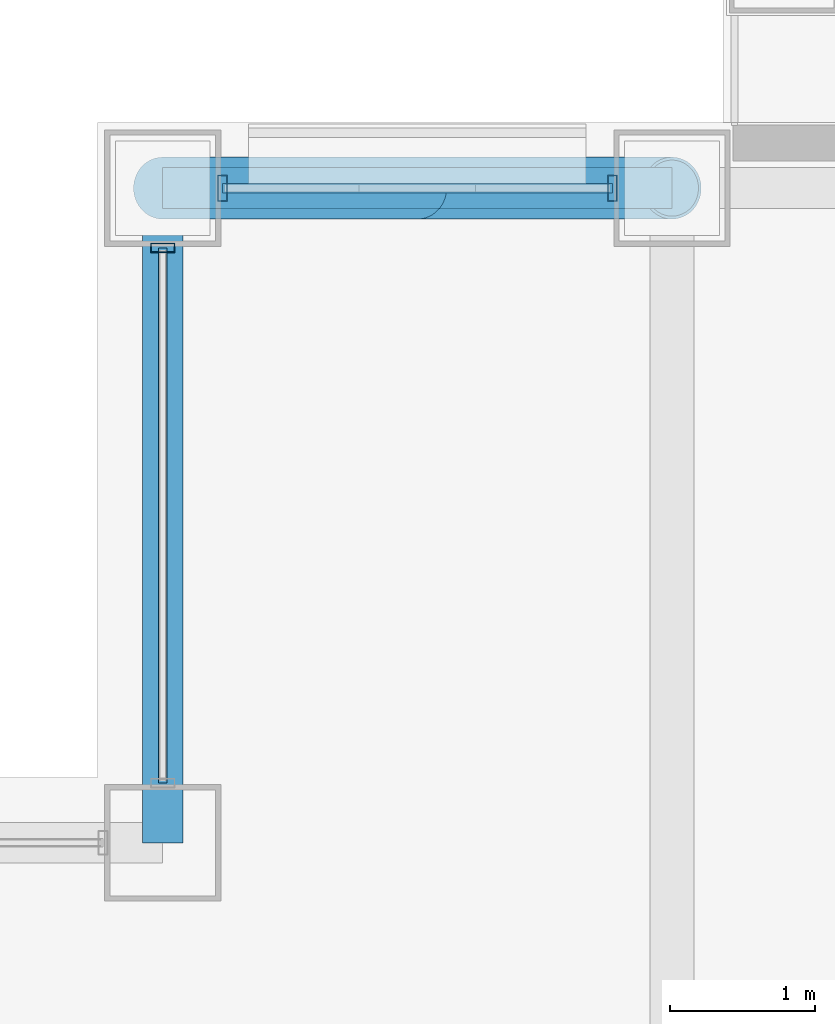
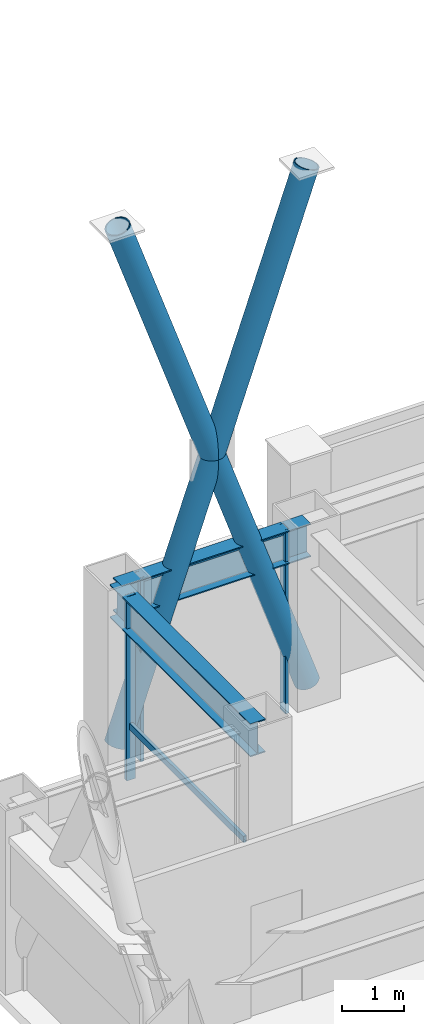
# One storey, part 19 of 35: 8 members, 2 beams, 2 elements without a shape of their own.
"""IFC4 building model written with IfcOpenShell, lengths in metres."""

from ifc_helpers import new_model, si_unit, direction, frame, origin, origin_2d, place, context, subcontext, project, spatial, hollow_rectangle, hollow_circle, i_section, extrude, material, layer, layer_set, material_profile, profile_set, type_object, element, aggregate, save


model = new_model("IFC4")

# Units and contexts
model_context = context("Model", 3, precision=1e-05, world=origin(), true_north=direction((0.0, 1.0)))
body_context = subcontext(model_context, "Body", "Model", "MODEL_VIEW")
ifc_project = project(units=[si_unit("LENGTHUNIT", "METRE"), si_unit("AREAUNIT", "SQUARE_METRE"), si_unit("VOLUMEUNIT", "CUBIC_METRE"), si_unit("PLANEANGLEUNIT", "RADIAN"), si_unit("MASSUNIT", "GRAM", prefix="KILO")], contexts=[model_context])

# Site, building, storey
site_placement = place(None, origin())
site = spatial("IfcSite", under=ifc_project, at=site_placement, CompositionType="ELEMENT")
building_placement = place(site_placement, origin())
building = spatial("IfcBuilding", under=site, at=building_placement, Name="Brelmoor Portico Tower", CompositionType="ELEMENT")
storey_placement = place(building_placement, frame((0.0, 0.0, 131.39990234375)))
storey = spatial("IfcBuildingStorey", under=building, at=storey_placement, Name="L34", CompositionType="ELEMENT", Elevation=131.39990234375)

# Beams
ifc_material_1 = material(Name="Steel Q355B", Category="steel")
ifc_material_profile_1 = material_profile(ifc_material_1, i_section(OverallWidth=0.280029296875, OverallDepth=0.64990234375, WebThickness=0.012939453125, FlangeThickness=0.02197265625, at=origin_2d()), Name="HN 650x280x13x22")
ifc_profile_set_1 = profile_set([ifc_material_profile_1], Name="Steel Q355B")
beam_type = type_object("IfcBeamType", Name="BM-SP-650", PredefinedType="SPANDREL", material=ifc_profile_set_1)
beam_1_placement = place(storey_placement, frame((-18.050048828125, 19.550048828125, 3.0751953125), z_axis=(1.0, 0.0, 0.0), x_axis=(0.0, 1.0, 0.0)))
element("IfcBeam", 1, at=beam_1_placement, inside=storey, type_object=beam_type, Name="L34 Perimeter Spandrel Beam SP-10", PredefinedType="SPANDREL", context=body_context, shape_type="SweptSolid", body=[
    extrude(i_section(OverallWidth=0.280029296875, OverallDepth=0.64990234375, WebThickness=0.012939453125, FlangeThickness=0.02197265625, at=origin_2d()), origin(), (0.0, 0.0, 1.0), 3.5),
])
beam_2_placement = place(storey_placement, frame((-18.050048828125, 15.050048828125, 3.0751953125), z_axis=(0.0, 1.0, 0.0), x_axis=(-1.0, 0.0, 0.0)))
element("IfcBeam", 2, at=beam_2_placement, inside=storey, type_object=beam_type, Name="L34 Perimeter Spandrel Beam SP-19", PredefinedType="SPANDREL", context=body_context, shape_type="SweptSolid", body=[
    extrude(i_section(OverallWidth=0.280029296875, OverallDepth=0.64990234375, WebThickness=0.012939453125, FlangeThickness=0.02197265625, at=origin_2d()), origin(), (0.0, 0.0, 1.0), 4.5),
])

# Members
ifc_material_profile_2 = material_profile(ifc_material_1, hollow_circle(Radius=0.212890625, WallThickness=0.02001953125, at=origin_2d()), Name="CHS 426x20")
ifc_profile_set_2 = profile_set([ifc_material_profile_2], Name="Steel Q355B")
member_type_1 = type_object("IfcMemberType", Name="MB-BELT-DIAG1", PredefinedType="BRACE", material=ifc_profile_set_2)
member_1_placement = place(storey_placement, frame((-18.050048828125, 19.550048828125, 0.25), z_axis=(0.327429033028, 0.0, 0.94487577402), x_axis=(0.0, 1.0, 0.0)))
element("IfcMember", 3, at=member_1_placement, inside=storey, type_object=member_type_1, Name="L34 Continuous Mega-X Brace 077A", PredefinedType="BRACE", context=body_context, shape_type="SweptSolid", body=[
    extrude(hollow_circle(Radius=0.212890625, WallThickness=0.02001953125, at=origin_2d()), origin(), (0.0, 0.0, 1.0), 10.689453125),
])
for number, where, z_axis, x_axis, name in (
    (4, (-14.550048828125, 19.550048828125, 0.25), (-0.327429033028, 0.0, 0.94487577402), (0.0, -1.0, 0.0), "L34 Split Mega-X Brace 077B1"),
    (5, (-16.300048828125, 19.550048828125, 5.300048828125), (-0.327429033028, 0.0, 0.94487577402), (0.0, -1.0, 0.0), "L34 Split Mega-X Brace 077B2"),
):
    element("IfcMember", number, at=place(storey_placement, frame(where, z_axis=z_axis, x_axis=x_axis)), inside=storey, type_object=member_type_1, Name=name, PredefinedType="BRACE", context=body_context, shape_type="SweptSolid", body=[
        extrude(hollow_circle(Radius=0.212890625, WallThickness=0.02001953125, at=origin_2d()), origin(), (0.0, 0.0, 1.0), 5.3447265625),
    ])

# Curtain wall, member
ifc_material_2 = material(Name="Anodised Aluminium Alloy 6063-T6", Category="aluminium")
ifc_layer_1 = layer(ifc_material_2, 0.179931640625)
ifc_layer_set_1 = layer_set([ifc_layer_1], Name="Anodised Aluminium Alloy 6063-T6")
curtain_wall_type_1 = type_object("IfcCurtainWallType", Name="CW-NOTCH-CHAMFER", PredefinedType="NOTDEFINED", material=ifc_layer_set_1)
curtain_wall_1_placement = place(storey_placement, origin())
curtain_wall_1 = element("IfcCurtainWall", 6, at=curtain_wall_1_placement, inside=storey, type_object=curtain_wall_type_1, Name="L34 Curtain Wall CWN-L34-NWV", PredefinedType="NOTDEFINED")
ifc_material_profile_3 = material_profile(ifc_material_2, hollow_rectangle(XDim=0.06494140625, YDim=0.1650390625, WallThickness=0.00390625, at=origin_2d()), Name="ALU MULLION 65x165")
ifc_profile_set_3 = profile_set([ifc_material_profile_3], Name="Anodised Aluminium Alloy 6063-T6")
member_type_2 = type_object("IfcMemberType", Name="MB-CW-MULL-165", PredefinedType="MULLION", material=ifc_profile_set_3)
member_2_placement = place(storey_placement, frame((-18.050048828125, 19.139892578125, -0.199951171875), z_axis=(0.0, 0.0, 1.0), x_axis=(0.0, 1.0, 0.0)))
member_2 = element("IfcMember", 7, at=member_2_placement, type_object=member_type_2, Name="CWN-L34-NWV Mullion 01", PredefinedType="MULLION", context=body_context, shape_type="SweptSolid", body=[
    extrude(hollow_rectangle(XDim=0.06494140625, YDim=0.1650390625, WallThickness=0.00390625, at=origin_2d()), origin(), (0.0, 0.0, 1.0), 3.60009765625),
])

# Curtain wall, members
ifc_layer_2 = layer(ifc_material_2, 0.179931640625)
ifc_layer_set_2 = layer_set([ifc_layer_2], Name="Anodised Aluminium Alloy 6063-T6")
curtain_wall_type_2 = type_object("IfcCurtainWallType", Name="CW-TOWER-Z2-XB", PredefinedType="NOTDEFINED", material=ifc_layer_set_2)
curtain_wall_2_placement = place(storey_placement, origin())
curtain_wall_2 = element("IfcCurtainWall", 8, at=curtain_wall_2_placement, inside=storey, type_object=curtain_wall_type_2, Name="L34 Curtain Wall CW-L34-2L", PredefinedType="NOTDEFINED")
ifc_material_profile_4 = material_profile(ifc_material_2, hollow_rectangle(XDim=0.06494140625, YDim=0.179931640625, WallThickness=0.00390625, at=origin_2d()), Name="ALU MULLION 65x180")
ifc_profile_set_4 = profile_set([ifc_material_profile_4], Name="Anodised Aluminium Alloy 6063-T6")
member_type_3 = type_object("IfcMemberType", Name="MB-CW-MULL-180", PredefinedType="MULLION", material=ifc_profile_set_4)
member_3_placement = place(storey_placement, frame((-17.639892578125, 19.550048828125, -0.199951171875), z_axis=(0.0, 0.0, 1.0), x_axis=(1.0, 0.0, 0.0)))
member_3 = element("IfcMember", 9, at=member_3_placement, type_object=member_type_3, Name="CW-L34-2L Mullion 00", PredefinedType="MULLION", context=body_context, shape_type="SweptSolid", body=[
    extrude(hollow_rectangle(XDim=0.06494140625, YDim=0.179931640625, WallThickness=0.00390625, at=origin_2d()), origin(), (0.0, 0.0, 1.0), 3.60009765625),
])
member_4_placement = place(storey_placement, frame((-14.9599609375, 19.550048828125, -0.199951171875), z_axis=(0.0, 0.0, 1.0), x_axis=(1.0, 0.0, 0.0)))
member_4 = element("IfcMember", 10, at=member_4_placement, type_object=member_type_3, Name="CW-L34-2L Mullion 01", PredefinedType="MULLION", context=body_context, shape_type="SweptSolid", body=[
    extrude(hollow_rectangle(XDim=0.06494140625, YDim=0.179931640625, WallThickness=0.00390625, at=origin_2d()), origin(), (0.0, 0.0, 1.0), 3.60009765625),
])

# Member
ifc_material_profile_5 = material_profile(ifc_material_2, hollow_rectangle(XDim=0.06005859375, YDim=0.125, WallThickness=0.00341796875, at=origin_2d()), Name="ALU TRANSOM 60x125")
ifc_profile_set_5 = profile_set([ifc_material_profile_5], Name="Anodised Aluminium Alloy 6063-T6")
member_type_4 = type_object("IfcMemberType", Name="MB-CW-TRAN-125", PredefinedType="USERDEFINED", material=ifc_profile_set_5)
member_5_placement = place(storey_placement, frame((-18.050048828125, 15.4599609375, 0.85009765625), z_axis=(0.0, 1.0, 0.0), x_axis=(-1.0, 0.0, 0.0)))
member_5 = element("IfcMember", 11, at=member_5_placement, type_object=member_type_4, Name="CWN-L34-NWV Transom 1-00", ObjectType="TRANSOM", PredefinedType="USERDEFINED", context=body_context, shape_type="SweptSolid", body=[
    extrude(hollow_rectangle(XDim=0.06005859375, YDim=0.125, WallThickness=0.00341796875, at=origin_2d()), origin(), (0.0, 0.0, 1.0), 3.679931640625),
])

aggregate(curtain_wall_1, [member_2, member_5])

ifc_material_profile_6 = material_profile(ifc_material_2, hollow_rectangle(XDim=0.06494140625, YDim=0.139892578125, WallThickness=0.00390625, at=origin_2d()), Name="ALU TRANSOM 65x140")
ifc_profile_set_6 = profile_set([ifc_material_profile_6], Name="Anodised Aluminium Alloy 6063-T6")
member_type_5 = type_object("IfcMemberType", Name="MB-CW-TRAN-140", PredefinedType="USERDEFINED", material=ifc_profile_set_6)
member_6_placement = place(storey_placement, frame((-17.639892578125, 19.550048828125, 3.330078125), z_axis=(1.0, 0.0, 0.0), x_axis=(0.0, 1.0, 0.0)))
member_6 = element("IfcMember", 12, at=member_6_placement, type_object=member_type_5, Name="CW-L34-2L Transom 1-00", ObjectType="TRANSOM", PredefinedType="USERDEFINED", context=body_context, shape_type="SweptSolid", body=[
    extrude(hollow_rectangle(XDim=0.06494140625, YDim=0.139892578125, WallThickness=0.00390625, at=origin_2d()), origin(), (0.0, 0.0, 1.0), 2.679931640625),
])

aggregate(curtain_wall_2, [member_3, member_4, member_6])

save(model, "model.ifc")
